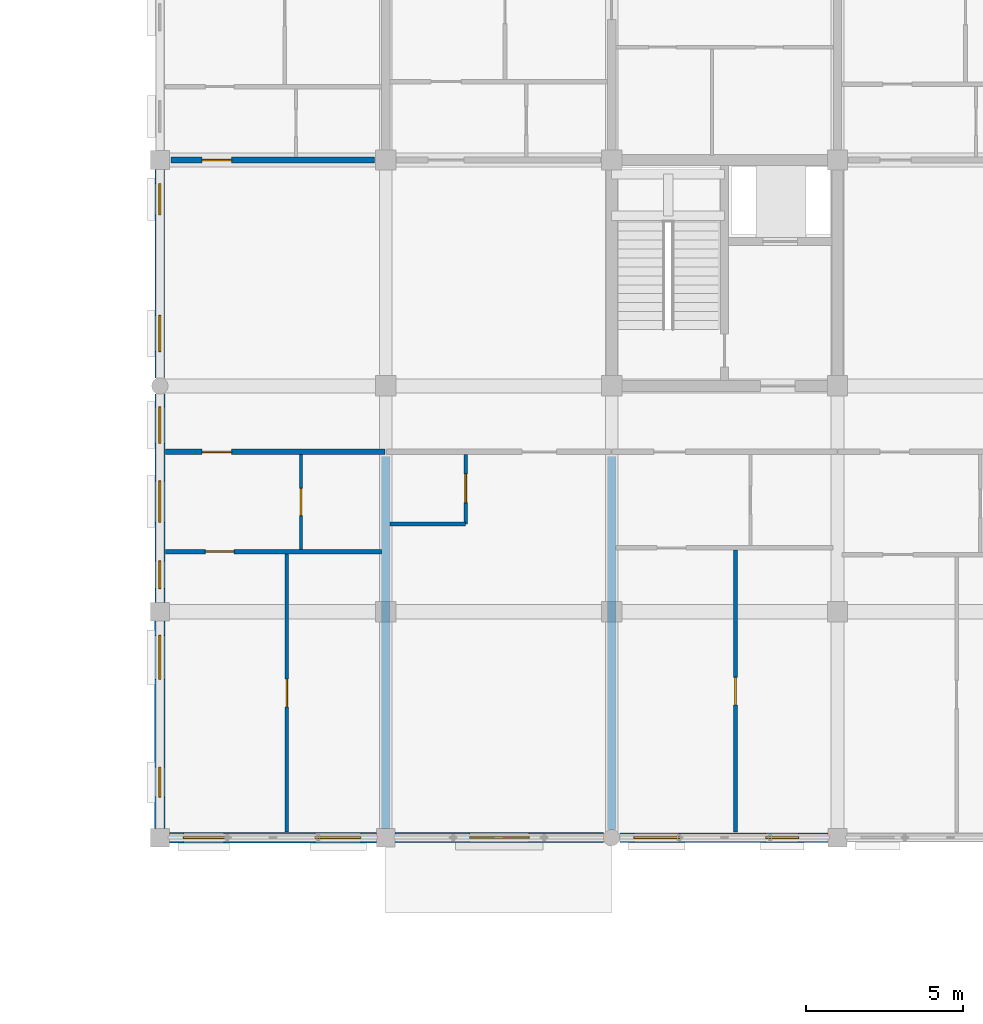
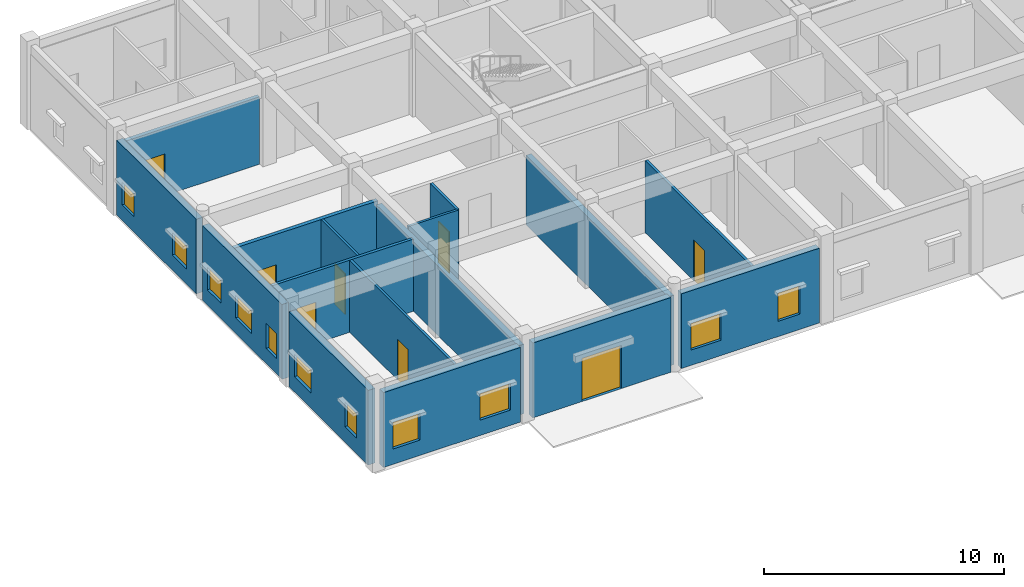
# One storey, part 115 of 138: 16 walls, 11 windows, 8 doors, 19 openings.
"""IFC4 building model written with IfcOpenShell, lengths in metres."""

from ifc_helpers import new_model, si_unit, direction, frame, frame_2d, origin, place, context, subcontext, project, spatial, rectangle, extrude, material, layer, layer_set, type_object, element, fill, save


model = new_model("IFC4")

# Units and contexts
model_context = context("Model", 3, precision=1e-05, world=origin(), true_north=direction((0.0, 1.0)))
body_context = subcontext(model_context, "Body", "Model", "MODEL_VIEW")
ifc_project = project(units=[si_unit("LENGTHUNIT", "METRE"), si_unit("AREAUNIT", "SQUARE_METRE"), si_unit("VOLUMEUNIT", "CUBIC_METRE"), si_unit("PLANEANGLEUNIT", "RADIAN"), si_unit("MASSUNIT", "GRAM", prefix="KILO"), si_unit("THERMODYNAMICTEMPERATUREUNIT", "KELVIN"), si_unit("POWERUNIT", "WATT")], contexts=[model_context])

# Site, building, storey
site_placement = place(None, origin())
site = spatial("IfcSite", under=ifc_project, at=site_placement, CompositionType="ELEMENT")
building_placement = place(site_placement, origin())
building = spatial("IfcBuilding", under=site, at=building_placement, Name="Tavuni Mirador Residences", CompositionType="ELEMENT")
storey_placement = place(building_placement, origin())
storey = spatial("IfcBuildingStorey", under=building, at=storey_placement, Name="L00", CompositionType="ELEMENT", Elevation=0.0)

# Wall, opening, door
ifc_material_1 = material(Name="Precast concrete C40/50", Category="concrete")
ifc_layer_1 = layer(ifc_material_1, 0.18505859375, Name="Precast concrete C40/50", Category="concrete")
ifc_layer_set_1 = layer_set([ifc_layer_1], Name="Precast concrete C40/50")
wall_type_1 = type_object("IfcWallType", Name="WT-CORR185", PredefinedType="PARTITIONING", material=ifc_layer_set_1)
wall_1_placement = place(storey_placement, frame((10.97509765625, 156.300048828125, 0.0), z_axis=(0.0, 0.0, 1.0), x_axis=(1.0, 0.0, 0.0)))
wall_1 = element("IfcWall", 1, at=wall_1_placement, inside=storey, type_object=wall_type_1, Name="CORW-BLK-C-L00-0-00", PredefinedType="PARTITIONING", context=body_context, shape_type="SweptSolid", body=[
    extrude(rectangle(XDim=7.0048828125, YDim=0.18505859375, at=frame_2d((3.50244140625, 0.0))), origin(), (0.0, 0.0, 1.0), 3.669921875),
])
opening_1_placement = place(wall_1_placement, frame((1.175048828125, 0.0, 0.0)))
opening_1 = element("IfcOpeningElement", 2, at=opening_1_placement, cuts=wall_1, Name="Opening D-19", PredefinedType="OPENING", context=body_context, shape_type="SweptSolid", body=[
    extrude(rectangle(XDim=0.93994140625, YDim=2.1201171875, at=frame_2d((0.469970703125, 1.06005859375))), frame((0.0, 0.1025390625, 0.0), z_axis=(0.0, -1.0, 0.0), x_axis=(1.0, 0.0, 0.0)), (0.0, 0.0, 1.0), 0.205078125),
])
ifc_material_2 = material(Name="Solid core iroko timber", Category="wood")
door_type_1 = type_object("IfcDoorType", Name="DT-FD60-940", OperationType="NOTDEFINED", PredefinedType="DOOR", material=ifc_material_2)
door_1_placement = place(opening_1_placement, origin())
door_1 = element("IfcDoor", 3, at=door_1_placement, inside=storey, type_object=door_type_1, Name="DR-2611", OperationType="SINGLE_SWING_RIGHT", OverallHeight=2.1201171875, OverallWidth=0.93994140625, PredefinedType="DOOR", context=body_context, shape_type="SweptSolid", body=[
    extrude(rectangle(XDim=0.93994140625, YDim=2.1201171875, at=frame_2d((0.469970703125, 1.06005859375))), frame((0.0, 0.02490234375, 0.0), z_axis=(0.0, -1.0, 0.0), x_axis=(1.0, 0.0, 0.0)), (0.0, 0.0, 1.0), 0.050048828125),
])
fill(opening_1, door_1)

wall_2_placement = place(storey_placement, frame((11.14990234375, 165.60009765625, 0.0), z_axis=(0.0, 0.0, 1.0), x_axis=(1.0, 0.0, 0.0)))
wall_2 = element("IfcWall", 4, at=wall_2_placement, inside=storey, type_object=wall_type_1, Name="CORW-BLK-C-L00-1-00", PredefinedType="PARTITIONING", context=body_context, shape_type="SweptSolid", body=[
    extrude(rectangle(XDim=6.5, YDim=0.18505859375, at=frame_2d((3.25, 0.0))), origin(), (0.0, 0.0, 1.0), 3.43505859375),
])
opening_2_placement = place(wall_2_placement, frame((1.0, 0.0, 0.0)))
opening_2 = element("IfcOpeningElement", 5, at=opening_2_placement, cuts=wall_2, Name="Opening D-19", PredefinedType="OPENING", context=body_context, shape_type="SweptSolid", body=[
    extrude(rectangle(XDim=0.93994140625, YDim=2.1201171875, at=frame_2d((0.469970703125, 1.06005859375))), frame((0.0, 0.1025390625, 0.0), z_axis=(0.0, -1.0, 0.0), x_axis=(1.0, 0.0, 0.0)), (0.0, 0.0, 1.0), 0.205078125),
])
door_2_placement = place(opening_2_placement, origin())
door_2 = element("IfcDoor", 6, at=door_2_placement, inside=storey, type_object=door_type_1, Name="DR-2620", OperationType="SINGLE_SWING_LEFT", OverallHeight=2.1201171875, OverallWidth=0.93994140625, PredefinedType="DOOR", context=body_context, shape_type="SweptSolid", body=[
    extrude(rectangle(XDim=0.93994140625, YDim=2.1201171875, at=frame_2d((0.469970703125, 1.06005859375))), frame((0.0, 0.02490234375, 0.0), z_axis=(0.0, -1.0, 0.0), x_axis=(1.0, 0.0, 0.0)), (0.0, 0.0, 1.0), 0.050048828125),
])
fill(opening_2, door_2)

# Wall, openings, windows
ifc_layer_2 = layer(ifc_material_1, 0.330078125, Name="Precast concrete C40/50", Category="concrete")
ifc_layer_set_2 = layer_set([ifc_layer_2], Name="Precast concrete C40/50")
wall_type_2 = type_object("IfcWallType", Name="WT-EXT-COR330", PredefinedType="SOLIDWALL", material=ifc_layer_set_2)
wall_3_placement = place(storey_placement, frame((11.10009765625, 144.0, 0.0), z_axis=(0.0, 0.0, 1.0), x_axis=(1.0, 0.0, 0.0)))
wall_3 = element("IfcWall", 7, at=wall_3_placement, inside=storey, type_object=wall_type_2, Name="EW-BLK-C-L00-S00", PredefinedType="SOLIDWALL", context=body_context, shape_type="SweptSolid", body=[
    extrude(rectangle(XDim=6.599853515625, YDim=0.330078125, at=frame_2d((3.2998046875, 0.0))), origin(), (0.0, 0.0, 1.0), 3.804931640625),
])
opening_3_placement = place(wall_3_placement, frame((0.449951171875, 0.0, 0.780029296875)))
opening_3 = element("IfcOpeningElement", 8, at=opening_3_placement, cuts=wall_3, Name="Opening WN-22", PredefinedType="OPENING", context=body_context, shape_type="SweptSolid", body=[
    extrude(rectangle(XDim=1.300048828125, YDim=1.360107421875, at=frame_2d((0.64990234375, 0.68017578125))), frame((0.0, 0.175048828125, 0.0), z_axis=(0.0, -1.0, 0.0), x_axis=(1.0, 0.0, 0.0)), (0.0, 0.0, 1.0), 0.35009765625),
])
opening_4_placement = place(wall_3_placement, frame((4.64990234375, 0.0, 0.780029296875)))
opening_4 = element("IfcOpeningElement", 9, at=opening_4_placement, cuts=wall_3, Name="Opening WN-24", PredefinedType="OPENING", context=body_context, shape_type="SweptSolid", body=[
    extrude(rectangle(XDim=1.4599609375, YDim=1.360107421875, at=frame_2d((0.72998046875, 0.68017578125))), frame((0.0, 0.175048828125, 0.0), z_axis=(0.0, -1.0, 0.0), x_axis=(1.0, 0.0, 0.0)), (0.0, 0.0, 1.0), 0.35009765625),
])
ifc_material_3 = material(Name="Laminated solar-control glass", Category="glass")
window_type_1 = type_object("IfcWindowType", Name="WNT-22", PartitioningType="SINGLE_PANEL", PredefinedType="WINDOW", material=ifc_material_3)
window_1_placement = place(opening_3_placement, origin())
window_1 = element("IfcWindow", 10, at=window_1_placement, inside=storey, type_object=window_type_1, Name="WIN-0801", OverallHeight=1.360107421875, OverallWidth=1.300048828125, PartitioningType="SINGLE_PANEL", PredefinedType="WINDOW", context=body_context, shape_type="SweptSolid", body=[
    extrude(rectangle(XDim=1.300048828125, YDim=1.360107421875, at=frame_2d((0.64990234375, 0.68017578125))), frame((0.0, 0.030029296875, 0.0), z_axis=(0.0, -1.0, 0.0), x_axis=(1.0, 0.0, 0.0)), (0.0, 0.0, 1.0), 0.06005859375),
])
fill(opening_3, window_1)
window_type_2 = type_object("IfcWindowType", Name="WNT-24", PartitioningType="SINGLE_PANEL", PredefinedType="WINDOW", material=ifc_material_3)
window_2_placement = place(opening_4_placement, origin())
window_2 = element("IfcWindow", 11, at=window_2_placement, inside=storey, type_object=window_type_2, Name="WIN-0802", OverallHeight=1.360107421875, OverallWidth=1.4599609375, PartitioningType="SINGLE_PANEL", PredefinedType="WINDOW", context=body_context, shape_type="SweptSolid", body=[
    extrude(rectangle(XDim=1.4599609375, YDim=1.360107421875, at=frame_2d((0.72998046875, 0.68017578125))), frame((0.0, 0.030029296875, 0.0), z_axis=(0.0, -1.0, 0.0), x_axis=(1.0, 0.0, 0.0)), (0.0, 0.0, 1.0), 0.06005859375),
])
fill(opening_4, window_2)

wall_4_placement = place(storey_placement, frame((10.800048828125, 150.89990234375, 0.0), z_axis=(0.0, 0.0, 1.0), x_axis=(0.0, -1.0, 0.0)))
wall_4 = element("IfcWall", 12, at=wall_4_placement, inside=storey, type_object=wall_type_2, Name="EW-BLK-C-L00-W00", PredefinedType="SOLIDWALL", context=body_context, shape_type="SweptSolid", body=[
    extrude(rectangle(XDim=6.599853515625, YDim=0.330078125, at=frame_2d((3.2998046875, 0.0))), origin(), (0.0, 0.0, 1.0), 3.804931640625),
])
opening_5_placement = place(wall_4_placement, frame((0.449951171875, 0.0, 0.780029296875)))
opening_5 = element("IfcOpeningElement", 13, at=opening_5_placement, cuts=wall_4, Name="Opening WN-08", PredefinedType="OPENING", context=body_context, shape_type="SweptSolid", body=[
    extrude(rectangle(XDim=1.39990234375, YDim=1.14990234375, at=frame_2d((0.699951171875, 0.574951171875))), frame((0.0, 0.175048828125, 0.0), z_axis=(0.0, -1.0, 0.0), x_axis=(1.0, 0.0, 0.0)), (0.0, 0.0, 1.0), 0.35009765625),
])
opening_6_placement = place(wall_4_placement, frame((4.64990234375, 0.0, 0.780029296875)))
opening_6 = element("IfcOpeningElement", 14, at=opening_6_placement, cuts=wall_4, Name="Opening WN-10", PredefinedType="OPENING", context=body_context, shape_type="SweptSolid", body=[
    extrude(rectangle(XDim=0.9599609375, YDim=1.260009765625, at=frame_2d((0.47998046875, 0.6298828125))), frame((0.0, 0.175048828125, 0.0), z_axis=(0.0, -1.0, 0.0), x_axis=(1.0, 0.0, 0.0)), (0.0, 0.0, 1.0), 0.35009765625),
])
window_type_3 = type_object("IfcWindowType", Name="WNT-08", PartitioningType="SINGLE_PANEL", PredefinedType="WINDOW", material=ifc_material_3)
window_3_placement = place(opening_5_placement, origin())
window_3 = element("IfcWindow", 15, at=window_3_placement, inside=storey, type_object=window_type_3, Name="WIN-0847", OverallHeight=1.14990234375, OverallWidth=1.39990234375, PartitioningType="SINGLE_PANEL", PredefinedType="WINDOW", context=body_context, shape_type="SweptSolid", body=[
    extrude(rectangle(XDim=1.39990234375, YDim=1.14990234375, at=frame_2d((0.699951171875, 0.574951171875))), frame((0.0, 0.030029296875, 0.0), z_axis=(0.0, -1.0, 0.0), x_axis=(1.0, 0.0, 0.0)), (0.0, 0.0, 1.0), 0.06005859375),
])
fill(opening_5, window_3)
window_type_4 = type_object("IfcWindowType", Name="WNT-10", PartitioningType="SINGLE_PANEL", PredefinedType="WINDOW", material=ifc_material_3)
window_4_placement = place(opening_6_placement, origin())
window_4 = element("IfcWindow", 16, at=window_4_placement, inside=storey, type_object=window_type_4, Name="WIN-0848", OverallHeight=1.260009765625, OverallWidth=0.9599609375, PartitioningType="SINGLE_PANEL", PredefinedType="WINDOW", context=body_context, shape_type="SweptSolid", body=[
    extrude(rectangle(XDim=0.9599609375, YDim=1.260009765625, at=frame_2d((0.47998046875, 0.6298828125))), frame((0.0, 0.030029296875, 0.0), z_axis=(0.0, -1.0, 0.0), x_axis=(1.0, 0.0, 0.0)), (0.0, 0.0, 1.0), 0.06005859375),
])
fill(opening_6, window_4)

ifc_material_4 = material(Name="Sgraffito lime-rendered precast concrete C40/50", Category="concrete")
ifc_layer_3 = layer(ifc_material_4, 0.304931640625, Name="Sgraffito lime-rendered precast concrete C40/50", Category="concrete")
ifc_layer_set_3 = layer_set([ifc_layer_3], Name="Sgraffito lime-rendered precast concrete C40/50")
wall_type_3 = type_object("IfcWallType", Name="WT-EXT-PC305", PredefinedType="SOLIDWALL", material=ifc_layer_set_3)
wall_5_placement = place(storey_placement, frame((25.4599609375, 144.0, 0.0), z_axis=(0.0, 0.0, 1.0), x_axis=(1.0, 0.0, 0.0)))
wall_5 = element("IfcWall", 17, at=wall_5_placement, inside=storey, type_object=wall_type_3, Name="EW-BLK-C-L00-S02", PredefinedType="SOLIDWALL", context=body_context, shape_type="SweptSolid", body=[
    extrude(rectangle(XDim=6.64013671875, YDim=0.304931640625, at=frame_2d((3.320068359375, 0.0))), origin(), (0.0, 0.0, 1.0), 3.804931640625),
])
opening_7_placement = place(wall_5_placement, frame((0.449951171875, 0.0, 0.780029296875)))
opening_7 = element("IfcOpeningElement", 18, at=opening_7_placement, cuts=wall_5, Name="Opening WN-24", PredefinedType="OPENING", context=body_context, shape_type="SweptSolid", body=[
    extrude(rectangle(XDim=1.4599609375, YDim=1.360107421875, at=frame_2d((0.72998046875, 0.68017578125))), frame((0.0, 0.16259765625, 0.0), z_axis=(0.0, -1.0, 0.0), x_axis=(1.0, 0.0, 0.0)), (0.0, 0.0, 1.0), 0.324951171875),
])
opening_8_placement = place(wall_5_placement, frame((4.64990234375, 0.0, 0.780029296875)))
opening_8 = element("IfcOpeningElement", 19, at=opening_8_placement, cuts=wall_5, Name="Opening WN-26", PredefinedType="OPENING", context=body_context, shape_type="SweptSolid", body=[
    extrude(rectangle(XDim=1.050048828125, YDim=1.43994140625, at=frame_2d((0.52490234375, 0.719970703125))), frame((0.0, 0.16259765625, 0.0), z_axis=(0.0, -1.0, 0.0), x_axis=(1.0, 0.0, 0.0)), (0.0, 0.0, 1.0), 0.324951171875),
])
window_5_placement = place(opening_7_placement, origin())
window_5 = element("IfcWindow", 20, at=window_5_placement, inside=storey, type_object=window_type_2, Name="WIN-0803", OverallHeight=1.360107421875, OverallWidth=1.4599609375, PartitioningType="SINGLE_PANEL", PredefinedType="WINDOW", context=body_context, shape_type="SweptSolid", body=[
    extrude(rectangle(XDim=1.4599609375, YDim=1.360107421875, at=frame_2d((0.72998046875, 0.68017578125))), frame((0.0, 0.030029296875, 0.0), z_axis=(0.0, -1.0, 0.0), x_axis=(1.0, 0.0, 0.0)), (0.0, 0.0, 1.0), 0.06005859375),
])
fill(opening_7, window_5)
window_type_5 = type_object("IfcWindowType", Name="WNT-26", PartitioningType="SINGLE_PANEL", PredefinedType="WINDOW", material=ifc_material_3)
window_6_placement = place(opening_8_placement, origin())
window_6 = element("IfcWindow", 21, at=window_6_placement, inside=storey, type_object=window_type_5, Name="WIN-0804", OverallHeight=1.43994140625, OverallWidth=1.050048828125, PartitioningType="SINGLE_PANEL", PredefinedType="WINDOW", context=body_context, shape_type="SweptSolid", body=[
    extrude(rectangle(XDim=1.050048828125, YDim=1.43994140625, at=frame_2d((0.52490234375, 0.719970703125))), frame((0.0, 0.030029296875, 0.0), z_axis=(0.0, -1.0, 0.0), x_axis=(1.0, 0.0, 0.0)), (0.0, 0.0, 1.0), 0.06005859375),
])
fill(opening_8, window_6)

wall_6_placement = place(storey_placement, frame((10.800048828125, 165.300048828125, 0.0), z_axis=(0.0, 0.0, 1.0), x_axis=(0.0, -1.0, 0.0)))
wall_6 = element("IfcWall", 22, at=wall_6_placement, inside=storey, type_object=wall_type_3, Name="EW-BLK-C-L00-W02", PredefinedType="SOLIDWALL", context=body_context, shape_type="SweptSolid", body=[
    extrude(rectangle(XDim=6.64013671875, YDim=0.304931640625, at=frame_2d((3.320068359375, 0.0))), origin(), (0.0, 0.0, 1.0), 3.804931640625),
])
opening_9_placement = place(wall_6_placement, frame((0.449951171875, 0.0, 0.780029296875)))
opening_9 = element("IfcOpeningElement", 23, at=opening_9_placement, cuts=wall_6, Name="Opening WN-03", PredefinedType="OPENING", context=body_context, shape_type="SweptSolid", body=[
    extrude(rectangle(XDim=1.0, YDim=1.14990234375, at=frame_2d((0.5, 0.574951171875))), frame((0.0, 0.16259765625, 0.0), z_axis=(0.0, -1.0, 0.0), x_axis=(1.0, 0.0, 0.0)), (0.0, 0.0, 1.0), 0.324951171875),
])
opening_10_placement = place(wall_6_placement, frame((4.64990234375, 0.0, 0.780029296875)))
opening_10 = element("IfcOpeningElement", 24, at=opening_10_placement, cuts=wall_6, Name="Opening WN-05", PredefinedType="OPENING", context=body_context, shape_type="SweptSolid", body=[
    extrude(rectangle(XDim=1.159912109375, YDim=1.14990234375, at=frame_2d((0.580078125, 0.574951171875))), frame((0.0, 0.16259765625, 0.0), z_axis=(0.0, -1.0, 0.0), x_axis=(1.0, 0.0, 0.0)), (0.0, 0.0, 1.0), 0.324951171875),
])
window_type_6 = type_object("IfcWindowType", Name="WNT-03", PartitioningType="SINGLE_PANEL", PredefinedType="WINDOW", material=ifc_material_3)
window_7_placement = place(opening_9_placement, origin())
window_7 = element("IfcWindow", 25, at=window_7_placement, inside=storey, type_object=window_type_6, Name="WIN-0842", OverallHeight=1.14990234375, OverallWidth=1.0, PartitioningType="SINGLE_PANEL", PredefinedType="WINDOW", context=body_context, shape_type="SweptSolid", body=[
    extrude(rectangle(XDim=1.0, YDim=1.14990234375, at=frame_2d((0.5, 0.574951171875))), frame((0.0, 0.030029296875, 0.0), z_axis=(0.0, -1.0, 0.0), x_axis=(1.0, 0.0, 0.0)), (0.0, 0.0, 1.0), 0.06005859375),
])
fill(opening_9, window_7)
window_type_7 = type_object("IfcWindowType", Name="WNT-05", PartitioningType="SINGLE_PANEL", PredefinedType="WINDOW", material=ifc_material_3)
window_8_placement = place(opening_10_placement, origin())
window_8 = element("IfcWindow", 26, at=window_8_placement, inside=storey, type_object=window_type_7, Name="WIN-0843", OverallHeight=1.14990234375, OverallWidth=1.159912109375, PartitioningType="SINGLE_PANEL", PredefinedType="WINDOW", context=body_context, shape_type="SweptSolid", body=[
    extrude(rectangle(XDim=1.159912109375, YDim=1.14990234375, at=frame_2d((0.580078125, 0.574951171875))), frame((0.0, 0.030029296875, 0.0), z_axis=(0.0, -1.0, 0.0), x_axis=(1.0, 0.0, 0.0)), (0.0, 0.0, 1.0), 0.06005859375),
])
fill(opening_10, window_8)

# Wall, opening, door
ifc_layer_4 = layer(ifc_material_4, 0.31494140625, Name="Sgraffito lime-rendered precast concrete C40/50", Category="concrete")
ifc_layer_set_4 = layer_set([ifc_layer_4], Name="Sgraffito lime-rendered precast concrete C40/50")
wall_type_4 = type_object("IfcWallType", Name="WT-EXT-PC315", PredefinedType="SOLIDWALL", material=ifc_layer_set_4)
wall_7_placement = place(storey_placement, frame((18.300048828125, 144.0, 0.0), z_axis=(0.0, 0.0, 1.0), x_axis=(1.0, 0.0, 0.0)))
wall_7 = element("IfcWall", 27, at=wall_7_placement, inside=storey, type_object=wall_type_4, Name="EW-BLK-C-L00-S01", PredefinedType="SOLIDWALL", context=body_context, shape_type="SweptSolid", body=[
    extrude(rectangle(XDim=6.639892578125, YDim=0.31494140625, at=frame_2d((3.31982421875, 0.0))), origin(), (0.0, 0.0, 1.0), 3.804931640625),
])
opening_11_placement = place(wall_7_placement, frame((2.3701171875, 0.0, 0.0)))
opening_11 = element("IfcOpeningElement", 28, at=opening_11_placement, cuts=wall_7, Name="Opening EX-01", PredefinedType="OPENING", context=body_context, shape_type="SweptSolid", body=[
    extrude(rectangle(XDim=1.89990234375, YDim=2.199951171875, at=frame_2d((0.949951171875, 1.10009765625))), frame((0.0, 0.16748046875, 0.0), z_axis=(0.0, -1.0, 0.0), x_axis=(1.0, 0.0, 0.0)), (0.0, 0.0, 1.0), 0.3349609375),
])
door_type_2 = type_object("IfcDoorType", Name="DT-EX1900", OperationType="DOUBLE_DOOR_SINGLE_SWING", PredefinedType="DOOR", material=ifc_material_2)
door_3_placement = place(opening_11_placement, frame((1.89990234375, 0.0, 0.0), z_axis=(0.0, 0.0, 1.0), x_axis=(-1.0, 0.0, 0.0)))
door_3 = element("IfcDoor", 29, at=door_3_placement, inside=storey, type_object=door_type_2, Name="Final exit door EX-010", OperationType="DOUBLE_DOOR_SINGLE_SWING", OverallHeight=2.199951171875, OverallWidth=1.89990234375, PredefinedType="DOOR", context=body_context, shape_type="SweptSolid", body=[
    extrude(rectangle(XDim=1.89990234375, YDim=2.199951171875, at=frame_2d((0.949951171875, 1.10009765625))), frame((0.0, 0.02490234375, 0.0), z_axis=(0.0, -1.0, 0.0), x_axis=(1.0, 0.0, 0.0)), (0.0, 0.0, 1.0), 0.050048828125),
])
fill(opening_11, door_3)

# Wall, openings, windows
wall_8_placement = place(storey_placement, frame((10.800048828125, 158.139892578125, 0.0), z_axis=(0.0, 0.0, 1.0), x_axis=(0.0, -1.0, 0.0)))
wall_8 = element("IfcWall", 30, at=wall_8_placement, inside=storey, type_object=wall_type_4, Name="EW-BLK-C-L00-W01", PredefinedType="SOLIDWALL", context=body_context, shape_type="SweptSolid", body=[
    extrude(rectangle(XDim=6.639892578125, YDim=0.31494140625, at=frame_2d((3.31982421875, 0.0))), origin(), (0.0, 0.0, 1.0), 3.804931640625),
])
opening_12_placement = place(wall_8_placement, frame((0.409912109375, 0.0, 0.780029296875)))
opening_12 = element("IfcOpeningElement", 31, at=opening_12_placement, cuts=wall_8, Name="Opening WN-05", PredefinedType="OPENING", context=body_context, shape_type="SweptSolid", body=[
    extrude(rectangle(XDim=1.159912109375, YDim=1.14990234375, at=frame_2d((0.580078125, 0.574951171875))), frame((0.0, 0.16748046875, 0.0), z_axis=(0.0, -1.0, 0.0), x_axis=(1.0, 0.0, 0.0)), (0.0, 0.0, 1.0), 0.3349609375),
])
opening_13_placement = place(wall_8_placement, frame((2.77001953125, 0.0, 0.780029296875)))
opening_13 = element("IfcOpeningElement", 32, at=opening_13_placement, cuts=wall_8, Name="Opening WN-07", PredefinedType="OPENING", context=body_context, shape_type="SweptSolid", body=[
    extrude(rectangle(XDim=1.320068359375, YDim=1.14990234375, at=frame_2d((0.66015625, 0.574951171875))), frame((0.0, 0.16748046875, 0.0), z_axis=(0.0, -1.0, 0.0), x_axis=(1.0, 0.0, 0.0)), (0.0, 0.0, 1.0), 0.3349609375),
])
opening_14_placement = place(wall_8_placement, frame((5.320068359375, 0.0, 0.780029296875)))
opening_14 = element("IfcOpeningElement", 33, at=opening_14_placement, cuts=wall_8, Name="Opening WN-09", PredefinedType="OPENING", context=body_context, shape_type="SweptSolid", body=[
    extrude(rectangle(XDim=0.8798828125, YDim=1.260009765625, at=frame_2d((0.43994140625, 0.6298828125))), frame((0.0, 0.16748046875, 0.0), z_axis=(0.0, -1.0, 0.0), x_axis=(1.0, 0.0, 0.0)), (0.0, 0.0, 1.0), 0.3349609375),
])
window_9_placement = place(opening_12_placement, origin())
window_9 = element("IfcWindow", 34, at=window_9_placement, inside=storey, type_object=window_type_7, Name="WIN-0844", OverallHeight=1.14990234375, OverallWidth=1.159912109375, PartitioningType="SINGLE_PANEL", PredefinedType="WINDOW", context=body_context, shape_type="SweptSolid", body=[
    extrude(rectangle(XDim=1.159912109375, YDim=1.14990234375, at=frame_2d((0.580078125, 0.574951171875))), frame((0.0, 0.030029296875, 0.0), z_axis=(0.0, -1.0, 0.0), x_axis=(1.0, 0.0, 0.0)), (0.0, 0.0, 1.0), 0.06005859375),
])
fill(opening_12, window_9)
window_type_8 = type_object("IfcWindowType", Name="WNT-07", PartitioningType="SINGLE_PANEL", PredefinedType="WINDOW", material=ifc_material_3)
window_10_placement = place(opening_13_placement, origin())
window_10 = element("IfcWindow", 35, at=window_10_placement, inside=storey, type_object=window_type_8, Name="WIN-0845", OverallHeight=1.14990234375, OverallWidth=1.320068359375, PartitioningType="SINGLE_PANEL", PredefinedType="WINDOW", context=body_context, shape_type="SweptSolid", body=[
    extrude(rectangle(XDim=1.320068359375, YDim=1.14990234375, at=frame_2d((0.66015625, 0.574951171875))), frame((0.0, 0.030029296875, 0.0), z_axis=(0.0, -1.0, 0.0), x_axis=(1.0, 0.0, 0.0)), (0.0, 0.0, 1.0), 0.06005859375),
])
fill(opening_13, window_10)
window_type_9 = type_object("IfcWindowType", Name="WNT-09", PartitioningType="SINGLE_PANEL", PredefinedType="WINDOW", material=ifc_material_3)
window_11_placement = place(opening_14_placement, origin())
window_11 = element("IfcWindow", 36, at=window_11_placement, inside=storey, type_object=window_type_9, Name="WIN-0846", OverallHeight=1.260009765625, OverallWidth=0.8798828125, PartitioningType="SINGLE_PANEL", PredefinedType="WINDOW", context=body_context, shape_type="SweptSolid", body=[
    extrude(rectangle(XDim=0.8798828125, YDim=1.260009765625, at=frame_2d((0.43994140625, 0.6298828125))), frame((0.0, 0.030029296875, 0.0), z_axis=(0.0, -1.0, 0.0), x_axis=(1.0, 0.0, 0.0)), (0.0, 0.0, 1.0), 0.06005859375),
])
fill(opening_14, window_11)

# Wall, opening, door
ifc_material_5 = material(Name="Acoustic gypsum and concrete block partition", Category="concrete")
ifc_layer_5 = layer(ifc_material_5, 0.10498046875, Name="Acoustic gypsum and concrete block partition", Category="concrete")
ifc_layer_set_5 = layer_set([ifc_layer_5], Name="Acoustic gypsum and concrete block partition")
wall_type_5 = type_object("IfcWallType", Name="WT-PART105", PredefinedType="PARTITIONING", material=ifc_layer_set_5)
wall_9_placement = place(storey_placement, frame((15.300048828125, 153.18994140625, 0.0), z_axis=(0.0, 0.0, 1.0), x_axis=(0.0, 1.0, 0.0)))
wall_9 = element("IfcWall", 37, at=wall_9_placement, inside=storey, type_object=wall_type_5, Name="PW-BLK-C-L00-S00-IN1", PredefinedType="PARTITIONING", context=body_context, shape_type="SweptSolid", body=[
    extrude(rectangle(XDim=3.02001953125, YDim=0.10498046875, at=frame_2d((1.510009765625, 0.0))), origin(), (0.0, 0.0, 1.0), 3.669921875),
])
opening_15_placement = place(wall_9_placement, frame((1.074951171875, 0.0, 0.0)))
opening_15 = element("IfcOpeningElement", 38, at=opening_15_placement, cuts=wall_9, Name="Opening D-10", PredefinedType="OPENING", context=body_context, shape_type="SweptSolid", body=[
    extrude(rectangle(XDim=0.8701171875, YDim=2.050048828125, at=frame_2d((0.43505859375, 1.02490234375))), frame((0.0, 0.0625, 0.0), z_axis=(0.0, -1.0, 0.0), x_axis=(1.0, 0.0, 0.0)), (0.0, 0.0, 1.0), 0.125),
])
door_type_3 = type_object("IfcDoorType", Name="DT-WC870", OperationType="NOTDEFINED", PredefinedType="DOOR", material=ifc_material_2)
door_4_placement = place(opening_15_placement, origin())
door_4 = element("IfcDoor", 39, at=door_4_placement, inside=storey, type_object=door_type_3, Name="DR-3645", OperationType="SINGLE_SWING_RIGHT", OverallHeight=2.050048828125, OverallWidth=0.8701171875, PredefinedType="DOOR", context=body_context, shape_type="SweptSolid", body=[
    extrude(rectangle(XDim=0.8701171875, YDim=2.050048828125, at=frame_2d((0.43505859375, 1.02490234375))), frame((0.0, 0.02490234375, 0.0), z_axis=(0.0, -1.0, 0.0), x_axis=(1.0, 0.0, 0.0)), (0.0, 0.0, 1.0), 0.050048828125),
])
fill(opening_15, door_4)

ifc_layer_6 = layer(ifc_material_5, 0.114990234375, Name="Acoustic gypsum and concrete block partition", Category="concrete")
ifc_layer_set_6 = layer_set([ifc_layer_6], Name="Acoustic gypsum and concrete block partition")
wall_type_6 = type_object("IfcWallType", Name="WT-PART115", PredefinedType="PARTITIONING", material=ifc_layer_set_6)
wall_10_placement = place(storey_placement, frame((14.85009765625, 144.175048828125, 0.0), z_axis=(0.0, 0.0, 1.0), x_axis=(0.0, 1.0, 0.0)))
wall_10 = element("IfcWall", 40, at=wall_10_placement, inside=storey, type_object=wall_type_6, Name="PW-BLK-C-L00-S00-OUT", PredefinedType="PARTITIONING", context=body_context, shape_type="SweptSolid", body=[
    extrude(rectangle(XDim=8.875, YDim=0.114990234375, at=frame_2d((4.4375, 0.0))), origin(), (0.0, 0.0, 1.0), 3.669921875),
])
opening_16_placement = place(wall_10_placement, frame((3.99755859375, 0.0, 0.0)))
opening_16 = element("IfcOpeningElement", 41, at=opening_16_placement, cuts=wall_10, Name="Opening D-08", PredefinedType="OPENING", context=body_context, shape_type="SweptSolid", body=[
    extrude(rectangle(XDim=0.8798828125, YDim=2.080078125, at=frame_2d((0.43994140625, 1.0400390625))), frame((0.0, 0.0673828125, 0.0), z_axis=(0.0, -1.0, 0.0), x_axis=(1.0, 0.0, 0.0)), (0.0, 0.0, 1.0), 0.135009765625),
])
door_type_4 = type_object("IfcDoorType", Name="DT-BED880", OperationType="NOTDEFINED", PredefinedType="DOOR", material=ifc_material_2)
door_5_placement = place(opening_16_placement, origin())
door_5 = element("IfcDoor", 42, at=door_5_placement, inside=storey, type_object=door_type_4, Name="DR-3644", OperationType="SINGLE_SWING_LEFT", OverallHeight=2.080078125, OverallWidth=0.8798828125, PredefinedType="DOOR", context=body_context, shape_type="SweptSolid", body=[
    extrude(rectangle(XDim=0.8798828125, YDim=2.080078125, at=frame_2d((0.43994140625, 1.0400390625))), frame((0.0, 0.02490234375, 0.0), z_axis=(0.0, -1.0, 0.0), x_axis=(1.0, 0.0, 0.0)), (0.0, 0.0, 1.0), 0.050048828125),
])
fill(opening_16, door_5)

# Wall
wall_11_placement = place(storey_placement, frame((18.139892578125, 154.0, 0.0), z_axis=(0.0, 0.0, 1.0), x_axis=(1.0, 0.0, 0.0)))
element("IfcWall", 43, at=wall_11_placement, inside=storey, type_object=wall_type_6, Name="PW-BLK-C-L00-S01-1", PredefinedType="PARTITIONING", context=body_context, shape_type="SweptSolid", body=[
    extrude(rectangle(XDim=2.41015625, YDim=0.114990234375, at=frame_2d((1.205078125, 0.0))), origin(), (0.0, 0.0, 1.0), 3.669921875),
])

# Wall, opening, door
ifc_layer_7 = layer(ifc_material_5, 0.125, Name="Acoustic gypsum and concrete block partition", Category="concrete")
ifc_layer_set_7 = layer_set([ifc_layer_7], Name="Acoustic gypsum and concrete block partition")
wall_type_7 = type_object("IfcWallType", Name="WT-PART125", PredefinedType="PARTITIONING", material=ifc_layer_set_7)
wall_12_placement = place(storey_placement, frame((20.550048828125, 154.0, 0.0), z_axis=(0.0, 0.0, 1.0), x_axis=(0.0, 1.0, 0.0)))
wall_12 = element("IfcWall", 44, at=wall_12_placement, inside=storey, type_object=wall_type_7, Name="PW-BLK-C-L00-S01-2", PredefinedType="PARTITIONING", context=body_context, shape_type="SweptSolid", body=[
    extrude(rectangle(XDim=2.2099609375, YDim=0.125, at=frame_2d((1.10498046875, 0.0))), origin(), (0.0, 0.0, 1.0), 3.669921875),
])
opening_17_placement = place(wall_12_placement, frame((0.679931640625, 0.0, 0.0)))
opening_17 = element("IfcOpeningElement", 45, at=opening_17_placement, cuts=wall_12, Name="Opening D-06", PredefinedType="OPENING", context=body_context, shape_type="SweptSolid", body=[
    extrude(rectangle(XDim=0.919921875, YDim=2.10009765625, at=frame_2d((0.4599609375, 1.050048828125))), frame((0.0, 0.072509765625, 0.0), z_axis=(0.0, -1.0, 0.0), x_axis=(1.0, 0.0, 0.0)), (0.0, 0.0, 1.0), 0.14501953125),
])
door_type_5 = type_object("IfcDoorType", Name="DT-INT920", OperationType="NOTDEFINED", PredefinedType="DOOR", material=ifc_material_2)
door_6_placement = place(opening_17_placement, origin())
door_6 = element("IfcDoor", 46, at=door_6_placement, inside=storey, type_object=door_type_5, Name="DR-3650", OperationType="SINGLE_SWING_RIGHT", OverallHeight=2.10009765625, OverallWidth=0.919921875, PredefinedType="DOOR", context=body_context, shape_type="SweptSolid", body=[
    extrude(rectangle(XDim=0.919921875, YDim=2.10009765625, at=frame_2d((0.4599609375, 1.050048828125))), frame((0.0, 0.02490234375, 0.0), z_axis=(0.0, -1.0, 0.0), x_axis=(1.0, 0.0, 0.0)), (0.0, 0.0, 1.0), 0.050048828125),
])
fill(opening_17, door_6)

wall_13_placement = place(storey_placement, frame((29.14990234375, 144.175048828125, 0.0), z_axis=(0.0, 0.0, 1.0), x_axis=(0.0, 1.0, 0.0)))
wall_13 = element("IfcWall", 47, at=wall_13_placement, inside=storey, type_object=wall_type_7, Name="PW-BLK-C-L00-S02-OUT", PredefinedType="PARTITIONING", context=body_context, shape_type="SweptSolid", body=[
    extrude(rectangle(XDim=8.994873046875, YDim=0.125, at=frame_2d((4.49755859375, 0.0))), origin(), (0.0, 0.0, 1.0), 3.669921875),
])
opening_18_placement = place(wall_13_placement, frame((4.0576171875, 0.0, 0.0)))
opening_18 = element("IfcOpeningElement", 48, at=opening_18_placement, cuts=wall_13, Name="Opening D-08", PredefinedType="OPENING", context=body_context, shape_type="SweptSolid", body=[
    extrude(rectangle(XDim=0.8798828125, YDim=2.080078125, at=frame_2d((0.43994140625, 1.0400390625))), frame((0.0, 0.072509765625, 0.0), z_axis=(0.0, -1.0, 0.0), x_axis=(1.0, 0.0, 0.0)), (0.0, 0.0, 1.0), 0.14501953125),
])
door_7_placement = place(opening_18_placement, origin())
door_7 = element("IfcDoor", 49, at=door_7_placement, inside=storey, type_object=door_type_4, Name="DR-3654", OperationType="SINGLE_SWING_LEFT", OverallHeight=2.080078125, OverallWidth=0.8798828125, PredefinedType="DOOR", context=body_context, shape_type="SweptSolid", body=[
    extrude(rectangle(XDim=0.8798828125, YDim=2.080078125, at=frame_2d((0.43994140625, 1.0400390625))), frame((0.0, 0.02490234375, 0.0), z_axis=(0.0, -1.0, 0.0), x_axis=(1.0, 0.0, 0.0)), (0.0, 0.0, 1.0), 0.050048828125),
])
fill(opening_18, door_7)

ifc_layer_8 = layer(ifc_material_5, 0.139892578125, Name="Acoustic gypsum and concrete block partition", Category="concrete")
ifc_layer_set_8 = layer_set([ifc_layer_8], Name="Acoustic gypsum and concrete block partition")
wall_type_8 = type_object("IfcWallType", Name="WT-PART140", PredefinedType="PARTITIONING", material=ifc_layer_set_8)
wall_14_placement = place(storey_placement, frame((10.97509765625, 153.1201171875, 0.0), z_axis=(0.0, 0.0, 1.0), x_axis=(1.0, 0.0, 0.0)))
wall_14 = element("IfcWall", 50, at=wall_14_placement, inside=storey, type_object=wall_type_8, Name="PW-BLK-C-L00-S00-MID", PredefinedType="PARTITIONING", context=body_context, shape_type="SweptSolid", body=[
    extrude(rectangle(XDim=6.885009765625, YDim=0.139892578125, at=frame_2d((3.4423828125, 0.0))), origin(), (0.0, 0.0, 1.0), 3.669921875),
])
opening_19_placement = place(wall_14_placement, frame((1.27490234375, 0.0, 0.0)))
opening_19 = element("IfcOpeningElement", 51, at=opening_19_placement, cuts=wall_14, Name="Opening D-06", PredefinedType="OPENING", context=body_context, shape_type="SweptSolid", body=[
    extrude(rectangle(XDim=0.919921875, YDim=2.10009765625, at=frame_2d((0.4599609375, 1.050048828125))), frame((0.0, 0.080078125, 0.0), z_axis=(0.0, -1.0, 0.0), x_axis=(1.0, 0.0, 0.0)), (0.0, 0.0, 1.0), 0.159912109375),
])
door_8_placement = place(opening_19_placement, origin())
door_8 = element("IfcDoor", 52, at=door_8_placement, inside=storey, type_object=door_type_5, Name="DR-3646", OperationType="SINGLE_SWING_RIGHT", OverallHeight=2.10009765625, OverallWidth=0.919921875, PredefinedType="DOOR", context=body_context, shape_type="SweptSolid", body=[
    extrude(rectangle(XDim=0.919921875, YDim=2.10009765625, at=frame_2d((0.4599609375, 1.050048828125))), frame((0.0, 0.02490234375, 0.0), z_axis=(0.0, -1.0, 0.0), x_axis=(1.0, 0.0, 0.0)), (0.0, 0.0, 1.0), 0.050048828125),
])
fill(opening_19, door_8)

# Walls
ifc_layer_9 = layer(ifc_material_1, 0.264892578125, Name="Precast concrete C40/50", Category="concrete")
ifc_layer_set_9 = layer_set([ifc_layer_9], Name="Precast concrete C40/50")
wall_type_9 = type_object("IfcWallType", Name="WT-XW265", PredefinedType="SOLIDWALL", material=ifc_layer_set_9)
wall_15_placement = place(storey_placement, frame((18.0, 144.300048828125, 0.0), z_axis=(0.0, 0.0, 1.0), x_axis=(0.0, 1.0, 0.0)))
element("IfcWall", 53, at=wall_15_placement, inside=storey, type_object=wall_type_9, Name="XW-BLK-C-L00-S-01", PredefinedType="SOLIDWALL", context=body_context, shape_type="SweptSolid", body=[
    extrude(rectangle(XDim=11.849853515625, YDim=0.264892578125, at=frame_2d((5.9248046875, 0.0))), origin(), (0.0, 0.0, 1.0), 3.534912109375),
])
wall_16_placement = place(storey_placement, frame((25.199951171875, 144.260009765625, 0.0), z_axis=(0.0, 0.0, 1.0), x_axis=(0.0, 1.0, 0.0)))
element("IfcWall", 54, at=wall_16_placement, inside=storey, type_object=wall_type_9, Name="XW-BLK-C-L00-S-02", PredefinedType="SOLIDWALL", context=body_context, shape_type="SweptSolid", body=[
    extrude(rectangle(XDim=11.889892578125, YDim=0.264892578125, at=frame_2d((5.94482421875, 0.0))), origin(), (0.0, 0.0, 1.0), 3.534912109375),
])

save(model, "model.ifc")
